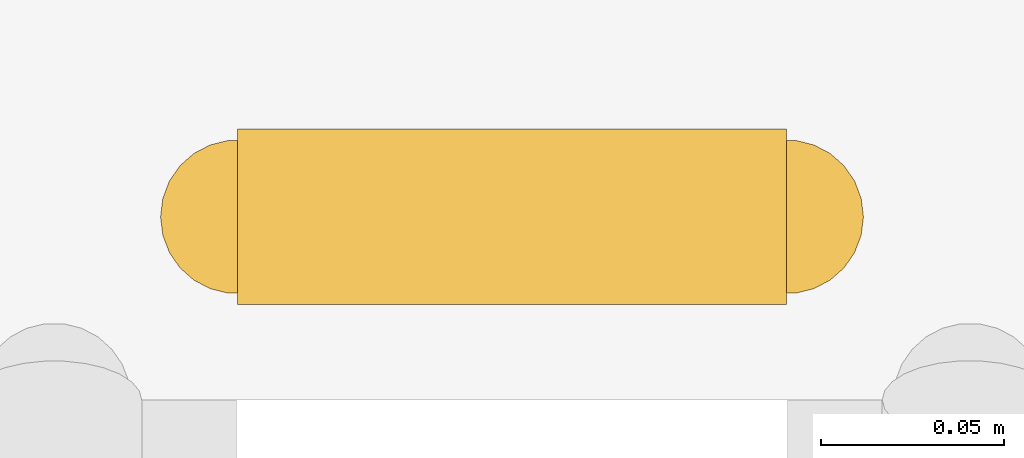
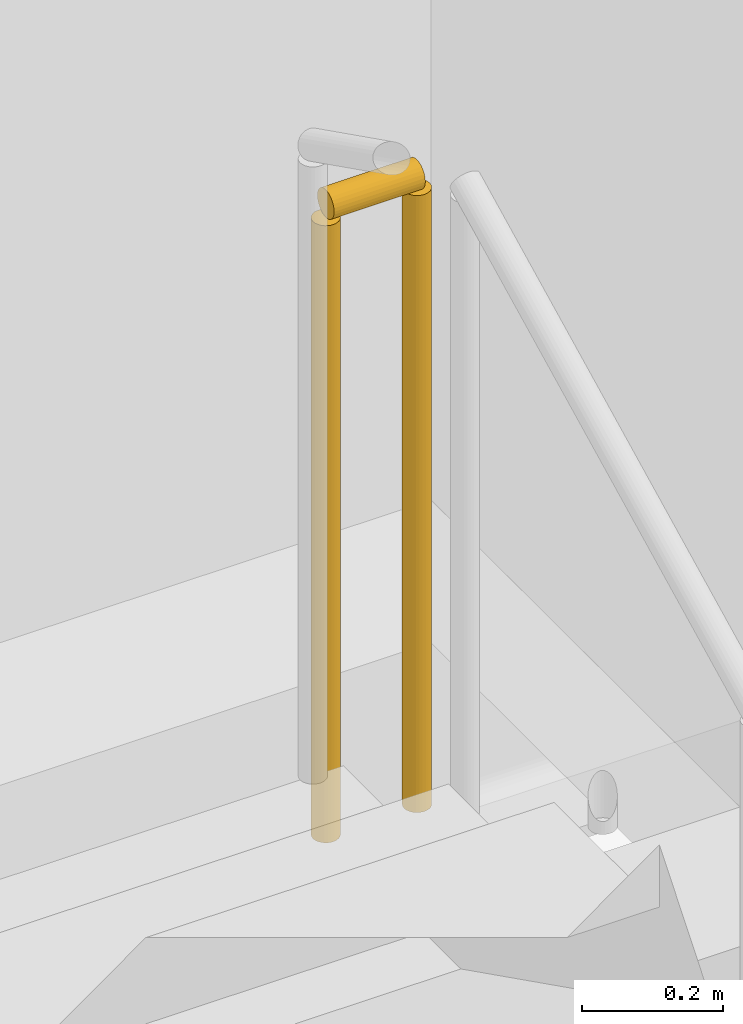
# One storey, part 19 of 19: 1 railing.
"""IFC4 building model written with IfcOpenShell, lengths in metres."""

from ifc_helpers import new_model, si_unit, direction, frame, origin, origin_2d, place, context, subcontext, project, spatial, circle, extrude, material, layer, layer_set, type_object, element, save


model = new_model("IFC4")

# Units and contexts
model_context = context("Model", 3, precision=1e-05, world=origin(), true_north=direction((0.0, 1.0)))
body_context = subcontext(model_context, "Body", "Model", "MODEL_VIEW")
ifc_project = project(units=[si_unit("LENGTHUNIT", "METRE"), si_unit("AREAUNIT", "SQUARE_METRE"), si_unit("VOLUMEUNIT", "CUBIC_METRE"), si_unit("PLANEANGLEUNIT", "RADIAN"), si_unit("MASSUNIT", "GRAM", prefix="KILO")], contexts=[model_context])

# Site, building, storey
site_placement = place(None, origin())
site = spatial("IfcSite", under=ifc_project, at=site_placement, CompositionType="ELEMENT")
building_placement = place(site_placement, origin())
building = spatial("IfcBuilding", under=site, at=building_placement, Name="Yukiwa Park Conservatory and Herbarium", CompositionType="ELEMENT")
storey_placement = place(building_placement, frame((0.0, 0.0, 31.800048828125)))
storey = spatial("IfcBuildingStorey", under=building, at=storey_placement, Name="L08", CompositionType="ELEMENT", Elevation=31.800048828125)

# Railing
ifc_material = material(Name="Steel Q235B", Category="steel")
ifc_layer = layer(ifc_material, 0.050048828125)
ifc_layer_set = layer_set([ifc_layer], Name="Steel Q235B")
railing_type = type_object("IfcRailingType", Name="RL-STAIR-GUARD-1120", PredefinedType="BALUSTRADE", material=ifc_layer_set)
railing_placement = place(storey_placement, frame((165.52001953125, 111.72998046875, 1.800048828125)))
element("IfcRailing", 1, at=railing_placement, inside=storey, type_object=railing_type, Name="L08 ST-T3 stair guard 2", PredefinedType="BALUSTRADE", context=body_context, shape_type="SweptSolid", body=[
    extrude(circle(Radius=0.02392578125, at=origin_2d()), frame((0.0, 0.0, 1.09619140625), z_axis=(-1.0, 0.0, 0.0), x_axis=(0.0, -1.0, 0.0)), (0.0, 0.0, 1.0), 0.14990234375),
    extrude(circle(Radius=0.02099609375, at=origin_2d()), origin(), (0.0, 0.0, 1.0), 1.072021484375),
    extrude(circle(Radius=0.02099609375, at=origin_2d()), frame((-0.14990234375, 0.0, 0.0)), (0.0, 0.0, 1.0), 1.072021484375),
])

save(model, "model.ifc")
